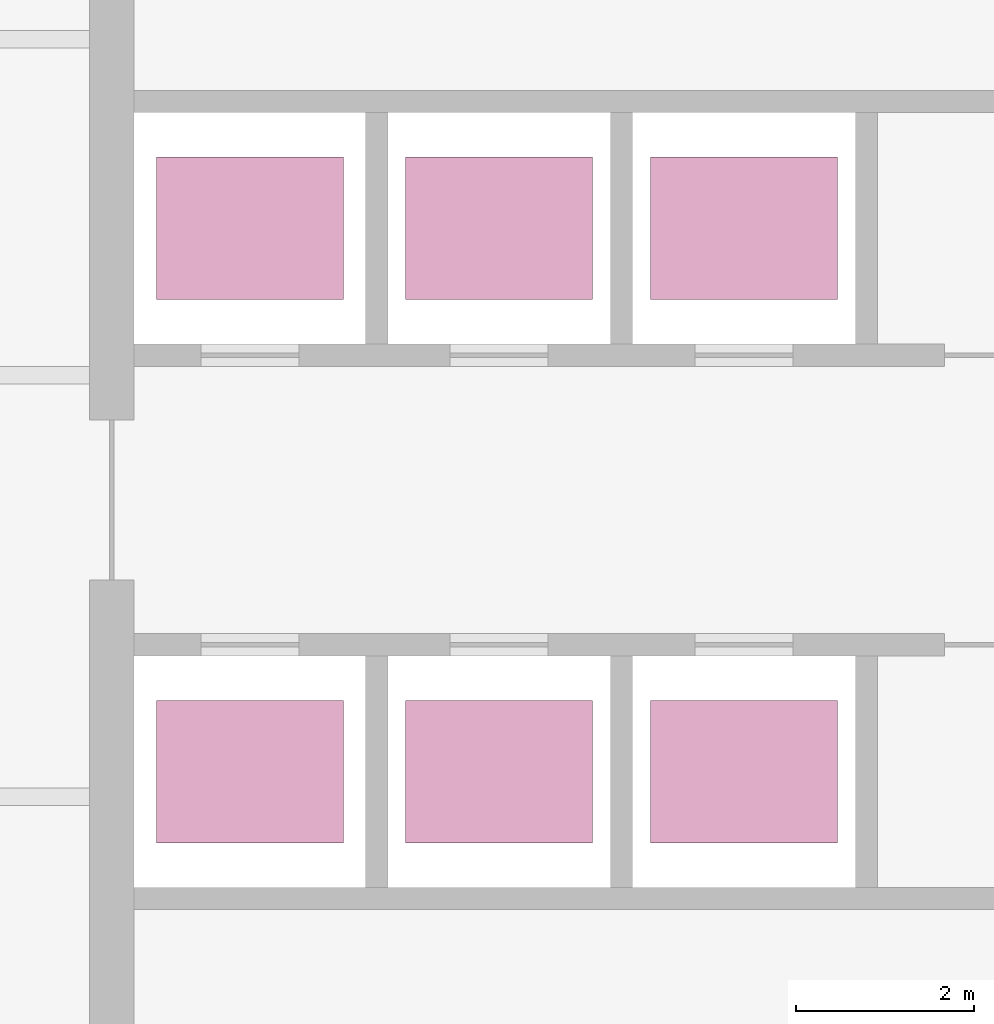
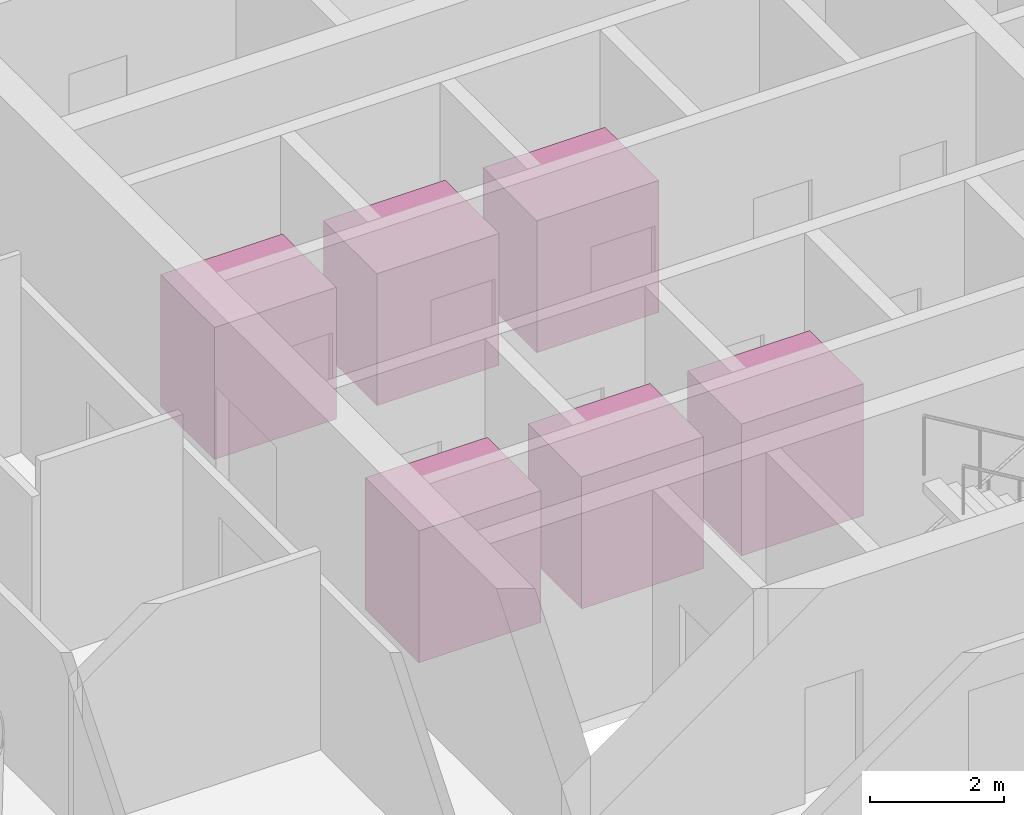
# One storey, part 10 of 10: 6 transport elements.
"""IFC4 building model written with IfcOpenShell, lengths in metres."""

from ifc_helpers import new_model, si_unit, direction, frame, origin, origin_2d, place, context, subcontext, project, spatial, rectangle, extrude, material, type_object, element, save


model = new_model("IFC4")

# Units and contexts
model_context = context("Model", 3, precision=1e-05, world=origin(), true_north=direction((0.0, 1.0)))
body_context = subcontext(model_context, "Body", "Model", "MODEL_VIEW")
ifc_project = project(units=[si_unit("LENGTHUNIT", "METRE"), si_unit("AREAUNIT", "SQUARE_METRE"), si_unit("VOLUMEUNIT", "CUBIC_METRE"), si_unit("PLANEANGLEUNIT", "RADIAN"), si_unit("MASSUNIT", "GRAM", prefix="KILO")], contexts=[model_context])

# Site, building, storey
site_placement = place(None, origin())
site = spatial("IfcSite", under=ifc_project, at=site_placement, CompositionType="ELEMENT")
building_placement = place(site_placement, origin())
building = spatial("IfcBuilding", under=site, at=building_placement, Name="Ostroluk Exchange", CompositionType="ELEMENT")
storey_placement = place(building_placement, frame((0.0, 0.0, 233.800048828125)))
storey = spatial("IfcBuildingStorey", under=building, at=storey_placement, Name="L60", CompositionType="ELEMENT", Elevation=233.800048828125)

# Transport elements
ifc_material = material(Name="Steel S355", Category="steel")
transport_element_type = type_object("IfcTransportElementType", Name="Passenger lift 1600 kg", PredefinedType="ELEVATOR", material=ifc_material)
for number, where, z_axis, x_axis, name in (
    (1, (36.89990234375, 49.050048828125, 0.0), (0.0, 0.0, 1.0), (1.0, 0.0, 0.0), "Lift PL-T1"),
    (2, (39.699951171875, 49.050048828125, 0.0), (0.0, 0.0, 1.0), (1.0, 0.0, 0.0), "Lift PL-T2"),
    (3, (42.449951171875, 49.050048828125, 0.0), (0.0, 0.0, 1.0), (1.0, 0.0, 0.0), "Lift PL-T3"),
    (4, (36.89990234375, 42.949951171875, 0.0), (0.0, 0.0, 1.0), (1.0, 0.0, 0.0), "Lift PL-T4"),
    (5, (39.699951171875, 42.949951171875, 0.0), (0.0, 0.0, 1.0), (1.0, 0.0, 0.0), "Lift PL-T5"),
    (6, (42.449951171875, 42.949951171875, 0.0), (0.0, 0.0, 1.0), (1.0, 0.0, 0.0), "Lift PL-T6"),
):
    element("IfcTransportElement", number, at=place(storey_placement, frame(where, z_axis=z_axis, x_axis=x_axis)), inside=storey, type_object=transport_element_type, Name=name, PredefinedType="ELEVATOR", context=body_context, shape_type="SweptSolid", body=[
        extrude(rectangle(XDim=2.10009765625, YDim=1.60009765625, at=origin_2d()), origin(), (0.0, 0.0, 1.0), 2.39990234375),
    ])

save(model, "model.ifc")
